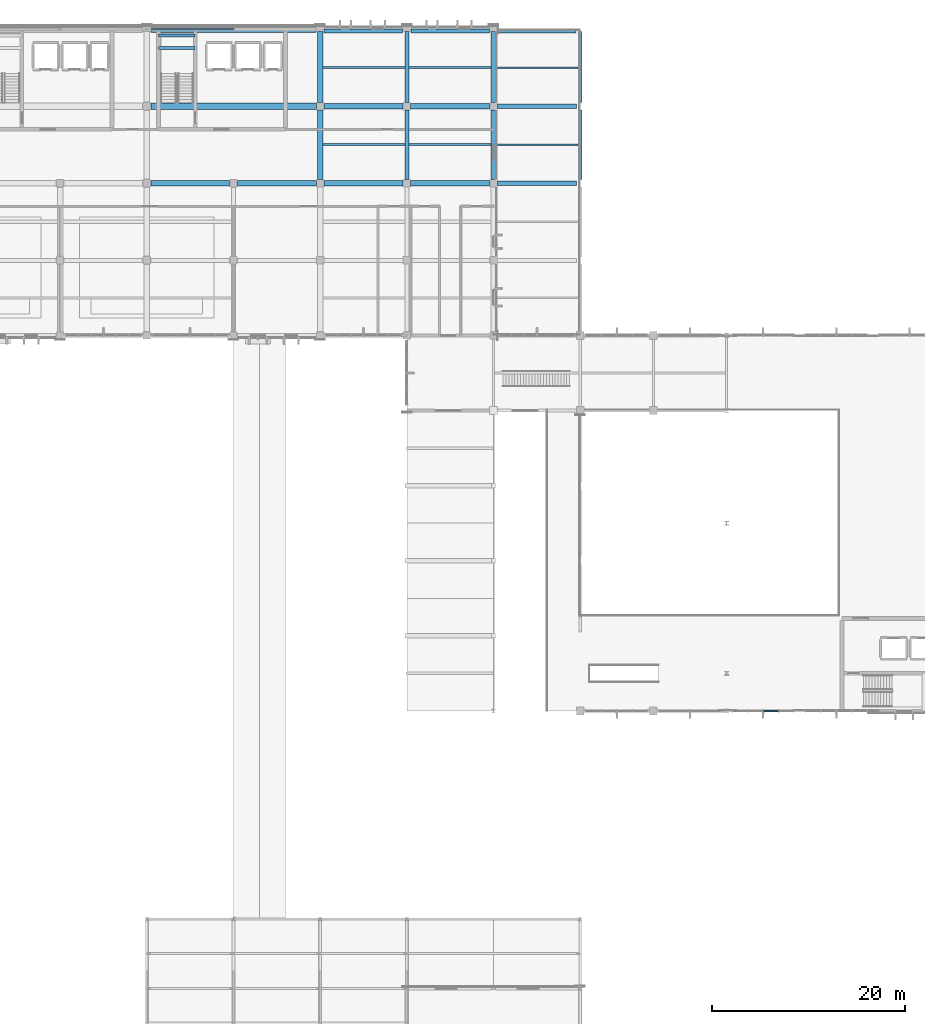
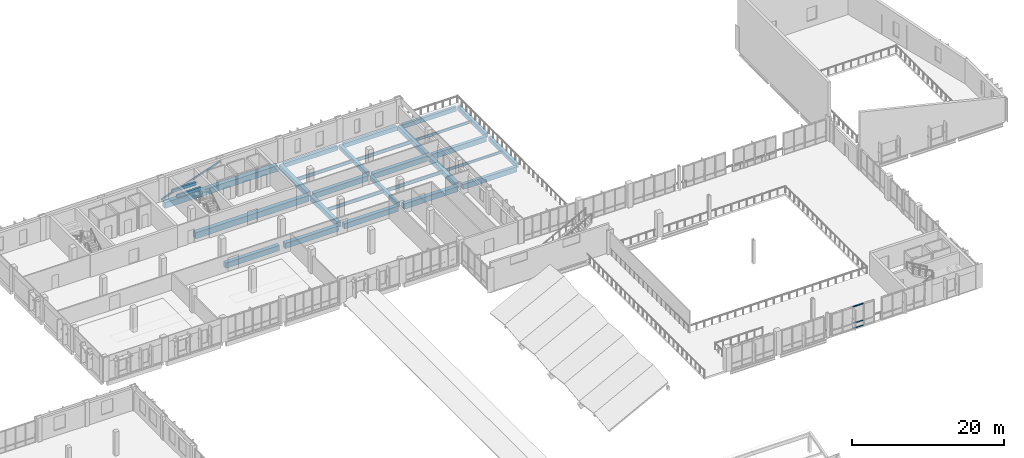
# One storey, part 25 of 64: 29 beams, 4 members, 1 element without a shape of its own.
"""IFC4 building model written with IfcOpenShell, lengths in metres."""

from ifc_helpers import new_model, si_unit, direction, frame, origin, origin_2d, place, context, subcontext, project, spatial, rectangle, hollow_rectangle, i_section, extrude, material, material_profile, profile_set, type_object, element, aggregate, save


model = new_model("IFC4")

# Units and contexts
model_context = context("Model", 3, precision=1e-05, world=origin(), true_north=direction((0.0, 1.0)))
body_context = subcontext(model_context, "Body", "Model", "MODEL_VIEW")
ifc_project = project(units=[si_unit("LENGTHUNIT", "METRE"), si_unit("AREAUNIT", "SQUARE_METRE"), si_unit("VOLUMEUNIT", "CUBIC_METRE"), si_unit("PLANEANGLEUNIT", "RADIAN"), si_unit("MASSUNIT", "GRAM", prefix="KILO")], contexts=[model_context])

# Site, building, storey
site_placement = place(None, origin())
site = spatial("IfcSite", under=ifc_project, at=site_placement, CompositionType="ELEMENT")
building_placement = place(site_placement, origin())
building = spatial("IfcBuilding", under=site, at=building_placement, Name="Vervanel Yard Central Library", CompositionType="ELEMENT")
storey_placement = place(building_placement, frame((0.0, 0.0, 8.93994140625)))
storey = spatial("IfcBuildingStorey", under=building, at=storey_placement, Name="L02", CompositionType="ELEMENT", Elevation=8.93994140625)

# Beams
ifc_material_1 = material(Name="Concrete C40/50", Category="concrete")
ifc_material_profile_1 = material_profile(ifc_material_1, rectangle(XDim=0.5, YDim=0.820068359375, at=origin_2d()), Name="RC 500x820", Category="concrete")
ifc_profile_set_1 = profile_set([ifc_material_profile_1], Name="Concrete C40/50")
beam_type_1 = type_object("IfcBeamType", Name="Concrete Girder 500x820", PredefinedType="BEAM", material=ifc_profile_set_1)
for number, where, z_axis, x_axis, name in (
    (1, (99.39990234375, 98.0, -0.7548828125), (1.0, 0.0, 0.0), (0.0, 1.0, 0.0), "L02 Girder CB-06 Y=98.0 X=99.0-108.0"),
    (2, (99.39990234375, 106.0, -0.7548828125), (1.0, 0.0, 0.0), (0.0, 1.0, 0.0), "L02 Girder CB-06 Y=106.0 X=99.0-108.0"),
):
    element("IfcBeam", number, at=place(storey_placement, frame(where, z_axis=z_axis, x_axis=x_axis)), inside=storey, type_object=beam_type_1, Name=name, PredefinedType="BEAM", context=body_context, shape_type="SweptSolid", body=[
        extrude(rectangle(XDim=0.5, YDim=0.820068359375, at=origin_2d()), origin(), (0.0, 0.0, 1.0), 8.2001953125),
    ])
ifc_material_2 = material(Name="Concrete C45/55", Category="concrete")
ifc_material_profile_2 = material_profile(ifc_material_2, rectangle(XDim=0.64990234375, YDim=0.949951171875, at=origin_2d()), Name="RC 650x950", Category="concrete")
ifc_profile_set_2 = profile_set([ifc_material_profile_2], Name="Concrete C45/55")
beam_type_2 = type_object("IfcBeamType", Name="Concrete Heavy Stack Girder 650x950", PredefinedType="BEAM", material=ifc_profile_set_2)
beam_1_placement = place(storey_placement, frame((63.425048828125, 106.0, -0.780029296875), z_axis=(1.0, 0.0, 0.0), x_axis=(0.0, 1.0, 0.0)))
element("IfcBeam", 3, at=beam_1_placement, inside=storey, type_object=beam_type_2, Name="L02 Girder CB-04 Y=106.0 X=63.0-81.0", PredefinedType="BEAM", context=body_context, shape_type="SweptSolid", body=[
    extrude(rectangle(XDim=0.64990234375, YDim=0.949951171875, at=origin_2d()), origin(), (0.0, 0.0, 1.0), 17.175048828125),
])
beam_2_placement = place(storey_placement, frame((63.425048828125, 114.0, -0.780029296875), z_axis=(1.0, 0.0, 0.0), x_axis=(0.0, 1.0, 0.0)))
element("IfcBeam", 4, at=beam_2_placement, inside=storey, type_object=beam_type_2, Name="L02 Girder CB-04 Y=114.0 X=63.0-81.0", PredefinedType="BEAM", context=body_context, shape_type="SweptSolid", body=[
    extrude(rectangle(XDim=0.64990234375, YDim=0.949951171875, at=origin_2d()), origin(), (0.0, 0.0, 1.0), 17.14990234375),
])
ifc_material_profile_3 = material_profile(ifc_material_1, rectangle(XDim=0.300048828125, YDim=0.449951171875, at=origin_2d()), Name="RC 300x450", Category="concrete")
ifc_profile_set_3 = profile_set([ifc_material_profile_3], Name="Concrete C40/50")
beam_type_3 = type_object("IfcBeamType", Name="Concrete Opening Lintel 300x450", PredefinedType="LINTEL", material=ifc_profile_set_3)
for number, where, z_axis, x_axis, name in (
    (5, (64.199951171875, 112.050048828125, 1.4951171875), (1.0, 0.0, 0.0), (0.0, 1.0, 0.0), "L02 CORE-B Stair Landing Beam 15"),
    (6, (64.199951171875, 113.35009765625, 1.4951171875), (1.0, 0.0, 0.0), (0.0, 1.0, 0.0), "L02 CORE-B Stair Landing Beam 16"),
):
    element("IfcBeam", number, at=place(storey_placement, frame(where, z_axis=z_axis, x_axis=x_axis)), inside=storey, type_object=beam_type_3, Name=name, PredefinedType="LINTEL", context=body_context, shape_type="SweptSolid", body=[
        extrude(rectangle(XDim=0.300048828125, YDim=0.449951171875, at=origin_2d()), origin(), (0.0, 0.0, 1.0), 3.824951171875),
    ])
ifc_material_profile_4 = material_profile(ifc_material_1, rectangle(XDim=0.419921875, YDim=0.679931640625, at=origin_2d()), Name="RC 420x680", Category="concrete")
ifc_profile_set_4 = profile_set([ifc_material_profile_4], Name="Concrete C40/50")
beam_type_4 = type_object("IfcBeamType", Name="Concrete Perimeter Spandrel 420x680", PredefinedType="SPANDREL", material=ifc_profile_set_4)
for number, where, z_axis, x_axis, name in (
    (7, (81.425048828125, 113.800048828125, -0.64501953125), (1.0, 0.0, 0.0), (0.0, 1.0, 0.0), "L02 Girder SP-04 Y=114.0 X=81.0-90.0"),
    (8, (90.425048828125, 113.800048828125, -0.64501953125), (1.0, 0.0, 0.0), (0.0, 1.0, 0.0), "L02 Girder SP-04 Y=114.0 X=90.0-99.0"),
    (9, (99.425048828125, 113.800048828125, -0.68505859375), (1.0, 0.0, 0.0), (0.0, 1.0, 0.0), "L02 Girder SP-04 Y=114.0 X=99.0-108.0"),
):
    element("IfcBeam", number, at=place(storey_placement, frame(where, z_axis=z_axis, x_axis=x_axis)), inside=storey, type_object=beam_type_4, Name=name, PredefinedType="SPANDREL", context=body_context, shape_type="SweptSolid", body=[
        extrude(rectangle(XDim=0.419921875, YDim=0.679931640625, at=origin_2d()), origin(), (0.0, 0.0, 1.0), 8.14990234375),
    ])
beam_3_placement = place(storey_placement, frame((90.0, 98.39990234375, -0.64501953125), z_axis=(0.0, 1.0, 0.0), x_axis=(-1.0, 0.0, 0.0)))
element("IfcBeam", 10, at=beam_3_placement, inside=storey, type_object=beam_type_4, Name="L02 Girder SP-04 X=90.0 Y=98.0-106.0", PredefinedType="SPANDREL", context=body_context, shape_type="SweptSolid", body=[
    extrude(rectangle(XDim=0.419921875, YDim=0.679931640625, at=origin_2d()), origin(), (0.0, 0.0, 1.0), 7.2001953125),
])
beam_4_placement = place(storey_placement, frame((90.0, 106.39990234375, -0.64501953125), z_axis=(0.0, 1.0, 0.0), x_axis=(-1.0, 0.0, 0.0)))
element("IfcBeam", 11, at=beam_4_placement, inside=storey, type_object=beam_type_4, Name="L02 Girder SP-04 X=90.0 Y=106.0-114.0", PredefinedType="SPANDREL", context=body_context, shape_type="SweptSolid", body=[
    extrude(rectangle(XDim=0.419921875, YDim=0.679931640625, at=origin_2d()), origin(), (0.0, 0.0, 1.0), 7.375),
])
beam_5_placement = place(storey_placement, frame((108.0, 98.39990234375, -0.68505859375), z_axis=(0.0, 1.0, 0.0), x_axis=(-1.0, 0.0, 0.0)))
element("IfcBeam", 12, at=beam_5_placement, inside=storey, type_object=beam_type_4, Name="L02 Girder SP-04 X=108.0 Y=98.0-106.0", PredefinedType="SPANDREL", context=body_context, shape_type="SweptSolid", body=[
    extrude(rectangle(XDim=0.419921875, YDim=0.679931640625, at=origin_2d()), origin(), (0.0, 0.0, 1.0), 7.2001953125),
])
beam_6_placement = place(storey_placement, frame((108.0, 106.39990234375, -0.68505859375), z_axis=(0.0, 1.0, 0.0), x_axis=(-1.0, 0.0, 0.0)))
element("IfcBeam", 13, at=beam_6_placement, inside=storey, type_object=beam_type_4, Name="L02 Girder SP-04 X=108.0 Y=106.0-114.0", PredefinedType="SPANDREL", context=body_context, shape_type="SweptSolid", body=[
    extrude(rectangle(XDim=0.419921875, YDim=0.679931640625, at=origin_2d()), origin(), (0.0, 0.0, 1.0), 7.375),
])
ifc_material_profile_5 = material_profile(ifc_material_1, rectangle(XDim=0.550048828125, YDim=0.800048828125, at=origin_2d()), Name="RC 550x800", Category="concrete")
ifc_profile_set_5 = profile_set([ifc_material_profile_5], Name="Concrete C40/50")
beam_type_5 = type_object("IfcBeamType", Name="Concrete Primary Girder 550x800", PredefinedType="BEAM", material=ifc_profile_set_5)
beam_7_placement = place(storey_placement, frame((81.0, 98.39990234375, -0.704833984375), z_axis=(0.0, 1.0, 0.0), x_axis=(-1.0, 0.0, 0.0)))
element("IfcBeam", 14, at=beam_7_placement, inside=storey, type_object=beam_type_5, Name="L02 Girder CB-02 X=81.0 Y=98.0-106.0", PredefinedType="BEAM", context=body_context, shape_type="SweptSolid", body=[
    extrude(rectangle(XDim=0.550048828125, YDim=0.800048828125, at=origin_2d()), origin(), (0.0, 0.0, 1.0), 7.2001953125),
])
beam_8_placement = place(storey_placement, frame((81.0, 106.39990234375, -0.704833984375), z_axis=(0.0, 1.0, 0.0), x_axis=(-1.0, 0.0, 0.0)))
element("IfcBeam", 15, at=beam_8_placement, inside=storey, type_object=beam_type_5, Name="L02 Girder CB-02 X=81.0 Y=106.0-114.0", PredefinedType="BEAM", context=body_context, shape_type="SweptSolid", body=[
    extrude(rectangle(XDim=0.550048828125, YDim=0.800048828125, at=origin_2d()), origin(), (0.0, 0.0, 1.0), 7.375),
])
beam_9_placement = place(storey_placement, frame((99.0, 98.39990234375, -0.744873046875), z_axis=(0.0, 1.0, 0.0), x_axis=(-1.0, 0.0, 0.0)))
element("IfcBeam", 16, at=beam_9_placement, inside=storey, type_object=beam_type_5, Name="L02 Girder CB-02 X=99.0 Y=98.0-106.0", PredefinedType="BEAM", context=body_context, shape_type="SweptSolid", body=[
    extrude(rectangle(XDim=0.550048828125, YDim=0.800048828125, at=origin_2d()), origin(), (0.0, 0.0, 1.0), 7.2001953125),
])
beam_10_placement = place(storey_placement, frame((99.0, 106.39990234375, -0.744873046875), z_axis=(0.0, 1.0, 0.0), x_axis=(-1.0, 0.0, 0.0)))
element("IfcBeam", 17, at=beam_10_placement, inside=storey, type_object=beam_type_5, Name="L02 Girder CB-02 X=99.0 Y=106.0-114.0", PredefinedType="BEAM", context=body_context, shape_type="SweptSolid", body=[
    extrude(rectangle(XDim=0.550048828125, YDim=0.800048828125, at=origin_2d()), origin(), (0.0, 0.0, 1.0), 7.375),
])
ifc_material_profile_6 = material_profile(ifc_material_2, rectangle(XDim=0.60009765625, YDim=0.85009765625, at=origin_2d()), Name="RC 600x850", Category="concrete")
ifc_profile_set_6 = profile_set([ifc_material_profile_6], Name="Concrete C45/55")
beam_type_6 = type_object("IfcBeamType", Name="Concrete Stack Girder 600x850", PredefinedType="BEAM", material=ifc_profile_set_6)
beam_11_placement = place(storey_placement, frame((63.425048828125, 98.0, -0.72998046875), z_axis=(1.0, 0.0, 0.0), x_axis=(0.0, 1.0, 0.0)))
element("IfcBeam", 18, at=beam_11_placement, inside=storey, type_object=beam_type_6, Name="L02 Girder CB-03 Y=98.0 X=63.0-72.0", PredefinedType="BEAM", context=body_context, shape_type="SweptSolid", body=[
    extrude(rectangle(XDim=0.60009765625, YDim=0.85009765625, at=origin_2d()), origin(), (0.0, 0.0, 1.0), 8.14990234375),
])
beam_12_placement = place(storey_placement, frame((72.425048828125, 98.0, -0.72998046875), z_axis=(1.0, 0.0, 0.0), x_axis=(0.0, 1.0, 0.0)))
element("IfcBeam", 19, at=beam_12_placement, inside=storey, type_object=beam_type_6, Name="L02 Girder CB-03 Y=98.0 X=72.0-81.0", PredefinedType="BEAM", context=body_context, shape_type="SweptSolid", body=[
    extrude(rectangle(XDim=0.60009765625, YDim=0.85009765625, at=origin_2d()), origin(), (0.0, 0.0, 1.0), 8.175048828125),
])
for number, where, z_axis, x_axis, name in (
    (20, (81.39990234375, 98.0, -0.72998046875), (1.0, 0.0, 0.0), (0.0, 1.0, 0.0), "L02 Girder CB-03 Y=98.0 X=81.0-90.0"),
    (21, (90.39990234375, 98.0, -0.72998046875), (1.0, 0.0, 0.0), (0.0, 1.0, 0.0), "L02 Girder CB-03 Y=98.0 X=90.0-99.0"),
    (22, (81.39990234375, 106.0, -0.72998046875), (1.0, 0.0, 0.0), (0.0, 1.0, 0.0), "L02 Girder CB-03 Y=106.0 X=81.0-90.0"),
    (23, (90.39990234375, 106.0, -0.72998046875), (1.0, 0.0, 0.0), (0.0, 1.0, 0.0), "L02 Girder CB-03 Y=106.0 X=90.0-99.0"),
):
    element("IfcBeam", number, at=place(storey_placement, frame(where, z_axis=z_axis, x_axis=x_axis)), inside=storey, type_object=beam_type_6, Name=name, PredefinedType="BEAM", context=body_context, shape_type="SweptSolid", body=[
        extrude(rectangle(XDim=0.60009765625, YDim=0.85009765625, at=origin_2d()), origin(), (0.0, 0.0, 1.0), 8.2001953125),
    ])

# Member
ifc_material_3 = material(Name="Steel ASTM A500 Grade C", Category="steel")
ifc_material_profile_7 = material_profile(ifc_material_3, hollow_rectangle(XDim=0.15234375, YDim=0.25390625, WallThickness=0.01171875, at=origin_2d()), Name="HSS10X6X1/2", Category="steel")
ifc_profile_set_7 = profile_set([ifc_material_profile_7], Name="Steel ASTM A500 Grade C")
member_type_1 = type_object("IfcMemberType", Name="Lateral Frame Brace HSS10X6X1/2", PredefinedType="BRACE", material=ifc_profile_set_7)
member_1_placement = place(storey_placement, frame((63.0, 114.0, 0.150146484375), z_axis=(0.947893535733, 0.0, 0.318587264207), x_axis=(0.0, 1.0, 0.0)))
element("IfcMember", 24, at=member_1_placement, inside=storey, type_object=member_type_1, Name="L02 Stack Spine Lateral Brace 5", PredefinedType="BRACE", context=body_context, shape_type="SweptSolid", body=[
    extrude(hollow_rectangle(XDim=0.15234375, YDim=0.25390625, WallThickness=0.01171875, at=origin_2d()), origin(), (0.0, 0.0, 1.0), 9.49462890625),
])

# Curtain wall, members
ifc_material_4 = material(Name="Thermally broken anodized aluminium 6063-T6", Category="aluminium")
curtain_wall_type = type_object("IfcCurtainWallType", Name="Reading Hall Full-Height Curtain Wall", PredefinedType="NOTDEFINED", material=ifc_material_4)
curtain_wall_placement = place(storey_placement, origin())
curtain_wall = element("IfcCurtainWall", 25, at=curtain_wall_placement, inside=storey, type_object=curtain_wall_type, Name="L02 Reading Hall Full-Height Curtain Wall CWR-L02-073", PredefinedType="NOTDEFINED")
ifc_material_profile_8 = material_profile(ifc_material_4, rectangle(XDim=0.070068359375, YDim=0.14990234375, at=origin_2d()), Name="ALU 70x150", Category="aluminium")
ifc_profile_set_8 = profile_set([ifc_material_profile_8], Name="Thermally broken anodized aluminium 6063-T6")
member_type_2 = type_object("IfcMemberType", Name="Reading Hall Deep Transom 70x150", PredefinedType="NOTDEFINED", material=ifc_profile_set_8)
member_2_placement = place(storey_placement, frame((127.070068359375, 43.199951171875, 0.03515625), z_axis=(1.0, 0.0, 0.0), x_axis=(0.0, 0.0, 1.0)))
member_2 = element("IfcMember", 26, at=member_2_placement, type_object=member_type_2, Name="CWR-L02-073 Transom B1-T1", ObjectType="TRANSOM", PredefinedType="USERDEFINED", context=body_context, shape_type="SweptSolid", body=[
    extrude(rectangle(XDim=0.070068359375, YDim=0.14990234375, at=origin_2d()), origin(), (0.0, 0.0, 1.0), 1.514892578125),
])
member_3_placement = place(storey_placement, frame((127.070068359375, 43.199951171875, 0.85009765625), z_axis=(1.0, 0.0, 0.0), x_axis=(0.0, 0.0, 1.0)))
member_3 = element("IfcMember", 27, at=member_3_placement, type_object=member_type_2, Name="CWR-L02-073 Transom B1-T2", ObjectType="TRANSOM", PredefinedType="USERDEFINED", context=body_context, shape_type="SweptSolid", body=[
    extrude(rectangle(XDim=0.070068359375, YDim=0.14990234375, at=origin_2d()), origin(), (0.0, 0.0, 1.0), 1.514892578125),
])
member_4_placement = place(storey_placement, frame((127.070068359375, 43.199951171875, 3.47509765625), z_axis=(1.0, 0.0, 0.0), x_axis=(0.0, 0.0, 1.0)))
member_4 = element("IfcMember", 28, at=member_4_placement, type_object=member_type_2, Name="CWR-L02-073 Transom B1-T3", ObjectType="TRANSOM", PredefinedType="USERDEFINED", context=body_context, shape_type="SweptSolid", body=[
    extrude(rectangle(XDim=0.070068359375, YDim=0.14990234375, at=origin_2d()), origin(), (0.0, 0.0, 1.0), 1.514892578125),
])
aggregate(curtain_wall, [member_2, member_3, member_4])

# Beams
ifc_material_5 = material(Name="Steel ASTM A992 Grade 50", Category="steel")
ifc_material_profile_9 = material_profile(ifc_material_5, i_section(OverallWidth=0.1787109375, OverallDepth=0.408935546875, WebThickness=0.0087890625, FlangeThickness=0.014404296875, at=origin_2d()), Name="W16X45", Category="steel")
ifc_profile_set_9 = profile_set([ifc_material_profile_9], Name="Steel ASTM A992 Grade 50")
beam_type_7 = type_object("IfcBeamType", Name="Steel Secondary Joist W16X45", PredefinedType="JOIST", material=ifc_profile_set_9)
for number, where, z_axis, x_axis, name in (
    (29, (99.27490234375, 102.0, -0.54931640625), (1.0, 0.0, 0.0), (0.0, 1.0, 0.0), "L02 Floor Joist SJ-01 Y=102.00 X=99.0-108.0"),
    (30, (99.27490234375, 110.0, -0.54931640625), (1.0, 0.0, 0.0), (0.0, 1.0, 0.0), "L02 Floor Joist SJ-01 Y=110.00 X=99.0-108.0"),
):
    element("IfcBeam", number, at=place(storey_placement, frame(where, z_axis=z_axis, x_axis=x_axis)), inside=storey, type_object=beam_type_7, Name=name, PredefinedType="JOIST", context=body_context, shape_type="SweptSolid", body=[
        extrude(i_section(OverallWidth=0.1787109375, OverallDepth=0.408935546875, WebThickness=0.0087890625, FlangeThickness=0.014404296875, at=origin_2d()), origin(), (0.0, 0.0, 1.0), 8.51513671875),
    ])
ifc_material_profile_10 = material_profile(ifc_material_5, i_section(OverallWidth=0.2099609375, OverallDepth=0.535888671875, WebThickness=0.010986328125, FlangeThickness=0.017333984375, at=origin_2d()), Name="W21X68", Category="steel")
ifc_profile_set_10 = profile_set([ifc_material_profile_10], Name="Steel ASTM A992 Grade 50")
beam_type_8 = type_object("IfcBeamType", Name="Steel Stack Floor Joist W21X68", PredefinedType="JOIST", material=ifc_profile_set_10)
for number, where, z_axis, x_axis, name in (
    (31, (81.27490234375, 102.0, -0.572998046875), (1.0, 0.0, 0.0), (0.0, 1.0, 0.0), "L02 Floor Joist SJ-04 Y=102.00 X=81.0-90.0"),
    (32, (81.27490234375, 110.0, -0.572998046875), (1.0, 0.0, 0.0), (0.0, 1.0, 0.0), "L02 Floor Joist SJ-04 Y=110.00 X=81.0-90.0"),
    (33, (90.2099609375, 102.0, -0.61279296875), (1.0, 0.0, 0.0), (0.0, 1.0, 0.0), "L02 Floor Joist SJ-04 Y=102.00 X=90.0-99.0"),
    (34, (90.2099609375, 110.0, -0.61279296875), (1.0, 0.0, 0.0), (0.0, 1.0, 0.0), "L02 Floor Joist SJ-04 Y=110.00 X=90.0-99.0"),
):
    element("IfcBeam", number, at=place(storey_placement, frame(where, z_axis=z_axis, x_axis=x_axis)), inside=storey, type_object=beam_type_8, Name=name, PredefinedType="JOIST", context=body_context, shape_type="SweptSolid", body=[
        extrude(i_section(OverallWidth=0.2099609375, OverallDepth=0.535888671875, WebThickness=0.010986328125, FlangeThickness=0.017333984375, at=origin_2d()), origin(), (0.0, 0.0, 1.0), 8.51513671875),
    ])

save(model, "model.ifc")
